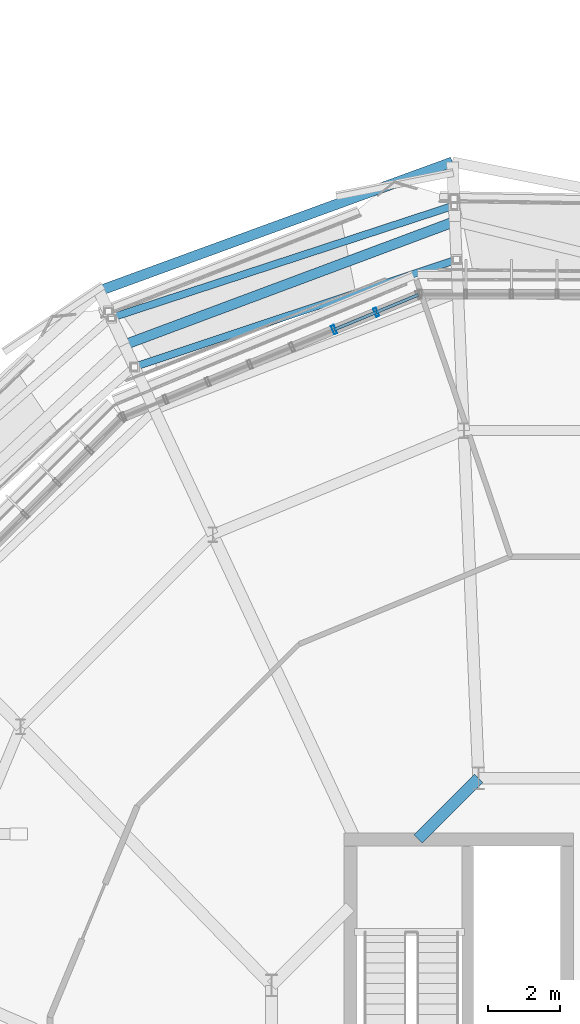
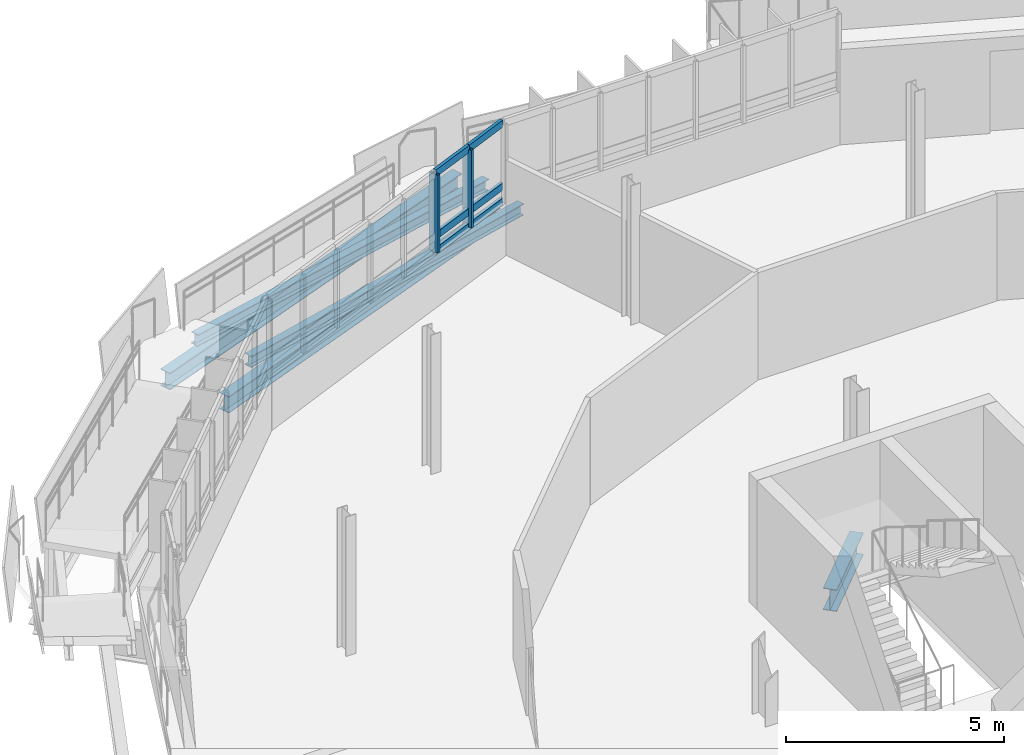
# One storey, part 26 of 61: 8 members, 5 beams, 1 element without a shape of its own.
"""IFC4 building model written with IfcOpenShell, lengths in metres."""

import ifcopenshell
import ifcopenshell.guid

model = None  # the IFC model being written
_history = None  # IfcOwnerHistory: only IFC2X3 demands one
_inside = {}  # id of a spatial element -> (the spatial element, [elements in it])
_under = {}  # id of a project, library or spatial element -> (it, [spatial elements below it])
_declared = {}  # id of a project -> (the project, [libraries it declares])
_typed = {}  # id of a type object -> (the type object, [elements of that type])
_made_of = {}  # id of a material, layer set ... -> (it, [elements and type objects made of it])


def new_model(schema):
    """Start an empty IFC model of exactly this schema.

    Asked for "IFC4X3", IfcOpenShell would pick the latest addendum, in which some entities
    have other attributes; the version numbers below select the first issue.
    IFC2X3 requires an IfcOwnerHistory on every rooted entity: one is made here for all.
    """
    global model, _history
    if schema == "IFC4X3":
        model = ifcopenshell.file(schema_version=(4, 3, 0, 0))
    else:
        model = ifcopenshell.file(schema=schema)
    _inside.clear()
    _under.clear()
    _declared.clear()
    _typed.clear()
    _made_of.clear()
    _history = None
    if model.schema == "IFC2X3":
        org = make("IfcOrganization", Name="unknown")
        user = make(
            "IfcPersonAndOrganization",
            ThePerson=make("IfcPerson", FamilyName="unknown"),
            TheOrganization=org,
        )
        app = make(
            "IfcApplication",
            ApplicationDeveloper=org,
            Version="unknown",
            ApplicationFullName="unknown",
            ApplicationIdentifier="unknown",
        )
        _history = make(
            "IfcOwnerHistory",
            OwningUser=user,
            OwningApplication=app,
            ChangeAction="ADDED",
            CreationDate=0,
        )
    return model


def make(cls, **values):
    """One entity of the class cls with the attributes given. An attribute that is None is left unset."""
    return model.create_entity(
        cls, **{name: value for name, value in values.items() if value is not None}
    )


def rooted(cls, **values):
    """An entity with a GlobalId (a new one), such as an element, a storey or a relation."""
    return make(cls, GlobalId=ifcopenshell.guid.new(), OwnerHistory=_history, **values)


def si_unit(unit_type, name, prefix=None):
    """IfcSIUnit, for example si_unit("LENGTHUNIT", "METRE", prefix="MILLI")."""
    return make("IfcSIUnit", UnitType=unit_type, Prefix=prefix, Name=name)


def derived_unit(unit_type, elements):
    """IfcDerivedUnit: a product of units, each with its exponent."""
    return make(
        "IfcDerivedUnit",
        Elements=[
            make("IfcDerivedUnitElement", Unit=unit, Exponent=power)
            for unit, power in elements
        ],
        UnitType=unit_type,
    )


def assignment(units):
    """IfcUnitAssignment: the units of a project."""
    return None if units is None else make("IfcUnitAssignment", Units=units)


def point(xyz):
    """IfcCartesianPoint."""
    return None if xyz is None else make("IfcCartesianPoint", Coordinates=xyz)


def direction(xyz):
    """IfcDirection."""
    return None if xyz is None else make("IfcDirection", DirectionRatios=xyz)


def frame(location, z_axis=None, x_axis=None):
    """IfcAxis2Placement3D, a coordinate frame: its origin and axes. An axis left out is left unset."""
    return make(
        "IfcAxis2Placement3D",
        Location=point(location),
        Axis=direction(z_axis),
        RefDirection=direction(x_axis),
    )


def frame_2d(location, x_axis=None):
    """IfcAxis2Placement2D, a coordinate frame in the plane: its origin and x axis."""
    return make(
        "IfcAxis2Placement2D", Location=point(location), RefDirection=direction(x_axis)
    )


def origin():
    """The frame at (0, 0, 0) with its axes left unset."""
    return frame((0.0, 0.0, 0.0))


def origin_2d():
    """The frame at (0, 0) in the plane with its x axis left unset."""
    return frame_2d((0.0, 0.0))


def place(relative_to, where):
    """IfcLocalPlacement: puts the frame where relative to a parent placement (None: the world)."""
    return make(
        "IfcLocalPlacement", PlacementRelTo=relative_to, RelativePlacement=where
    )


def context(
    kind, dimensions, precision=None, world=None, true_north=None, identifier=None
):
    """IfcGeometricRepresentationContext, for example the 3D "Model" context."""
    return make(
        "IfcGeometricRepresentationContext",
        ContextIdentifier=identifier,
        ContextType=kind,
        CoordinateSpaceDimension=dimensions,
        Precision=precision,
        WorldCoordinateSystem=world,
        TrueNorth=true_north,
    )


def subcontext(parent, identifier, kind, view, scale=None):
    """IfcGeometricRepresentationSubContext, for example "Body" below "Model"."""
    return make(
        "IfcGeometricRepresentationSubContext",
        ContextIdentifier=identifier,
        ContextType=kind,
        ParentContext=parent,
        TargetScale=scale,
        TargetView=view,
    )


def project(units=None, contexts=None):
    """IfcProject with its units and contexts."""
    return rooted(
        "IfcProject",
        Name="project",
        RepresentationContexts=contexts,
        UnitsInContext=assignment(units),
    )


def spatial(cls, under=None, at=None, **own):
    """A site, building, storey or space (cls), placed at a placement, below another one or the project."""
    s = rooted(cls, ObjectPlacement=at, **own)
    if under is not None:
        _under.setdefault(under.id(), (under, []))[1].append(s)
    return s


def profile(cls, at=None, kind="AREA", **sizes):
    """A parametric profile (cls). Its sizes go by their IFC names, for example OverallWidth=200.0."""
    return make(cls, ProfileType=kind, Position=at, **sizes)


def hollow_rectangle(**sizes):
    """IfcRectangleHollowProfileDef."""
    return profile("IfcRectangleHollowProfileDef", **sizes)


def i_section(**sizes):
    """IfcIShapeProfileDef."""
    return profile("IfcIShapeProfileDef", **sizes)


def extrude(swept, where, along, depth):
    """IfcExtrudedAreaSolid: the profile swept, set in the frame where, extruded along a direction by depth."""
    return make(
        "IfcExtrudedAreaSolid",
        SweptArea=swept,
        Position=where,
        ExtrudedDirection=direction(along),
        Depth=depth,
    )


def shape(context_of_items, identifier, shape_type, items):
    """IfcShapeRepresentation: the items that make up one representation, for example the "Body"."""
    return make(
        "IfcShapeRepresentation",
        ContextOfItems=context_of_items,
        RepresentationIdentifier=identifier,
        RepresentationType=shape_type,
        Items=items,
    )


def material(Name=None, Category=None):
    """IfcMaterial."""
    return make("IfcMaterial", Name=Name, Category=Category)


def layer(
    of_material, thickness, ventilated=None, Name=None, Category=None, Priority=None
):
    """IfcMaterialLayer: one layer of a wall or slab, of a material (None: an air gap)."""
    return make(
        "IfcMaterialLayer",
        Material=of_material,
        LayerThickness=thickness,
        IsVentilated=ventilated,
        Name=Name,
        Category=Category,
        Priority=Priority,
    )


def layer_set(layers, Name=None):
    """IfcMaterialLayerSet."""
    return make("IfcMaterialLayerSet", MaterialLayers=layers, LayerSetName=Name)


def material_profile(
    of_material, cross_section, Name=None, Category=None, Priority=None
):
    """IfcMaterialProfile: a cross section and its material."""
    return make(
        "IfcMaterialProfile",
        Name=Name,
        Material=of_material,
        Profile=cross_section,
        Priority=Priority,
        Category=Category,
    )


def profile_set(profiles, Name=None, composite=None):
    """IfcMaterialProfileSet."""
    return make(
        "IfcMaterialProfileSet",
        Name=Name,
        MaterialProfiles=profiles,
        CompositeProfile=composite,
    )


def made_of(thing, what):
    """Note that an element or type object is made of a material, layer set ...; save() writes the relation."""
    if what is not None:
        _made_of.setdefault(what.id(), (what, []))[1].append(thing)
    return thing


def type_object(cls, material=None, **own):
    """A type object (cls), such as IfcWallType, which elements share."""
    return made_of(rooted(cls, **own), material)


def element(
    cls,
    number,
    at=None,
    inside=None,
    cuts=None,
    type_object=None,
    material=None,
    context=None,
    identifier="Body",
    shape_type=None,
    held_by="IfcProductDefinitionShape",
    body=None,
    shapes=None,
    **own,
):
    """One element of the class cls, such as IfcWall. Its Tag is "e" and its number.

    at: its placement. inside: the storey or other place that contains it. cuts: it is an
    opening in that element (IfcRelVoidsElement). A single representation is given by context,
    identifier, shape_type and body (its items); several are given by shapes. held_by: the class
    of the entity that holds the representations. save() writes the other relations.
    """
    e = rooted(cls, Tag="e%d" % number, ObjectPlacement=at, **own)
    if body is not None:
        shapes = [shape(context, identifier, shape_type, body)]
    if shapes is not None:
        e.Representation = make(held_by, Representations=shapes)
    if inside is not None:
        _inside.setdefault(inside.id(), (inside, []))[1].append(e)
    if cuts is not None:
        rooted(
            "IfcRelVoidsElement", RelatingBuildingElement=cuts, RelatedOpeningElement=e
        )
    if type_object is not None:
        _typed.setdefault(type_object.id(), (type_object, []))[1].append(e)
    return made_of(e, material)


def aggregate(whole, parts):
    """IfcRelAggregates: a whole, such as a stair, and the parts it consists of."""
    return rooted("IfcRelAggregates", RelatingObject=whole, RelatedObjects=parts)


def save(model, path):
    """Write the relations noted so far, then the file.

    IfcRelAggregates (storeys below a building ...), IfcRelContainedInSpatialStructure (elements
    in a storey), IfcRelDefinesByType, IfcRelAssociatesMaterial and IfcRelDeclares: one each for
    every whole, place, type object, material and project.
    """
    for whole, parts in _under.values():
        aggregate(whole, parts)
    for where, things in _inside.values():
        rooted(
            "IfcRelContainedInSpatialStructure",
            RelatedElements=things,
            RelatingStructure=where,
        )
    for kind, things in _typed.values():
        rooted("IfcRelDefinesByType", RelatedObjects=things, RelatingType=kind)
    for what, things in _made_of.values():
        rooted("IfcRelAssociatesMaterial", RelatedObjects=things, RelatingMaterial=what)
    for by, libraries in _declared.values():
        rooted("IfcRelDeclares", RelatingContext=by, RelatedDefinitions=libraries)
    model.write(path)


model = new_model("IFC4")

# Units and contexts
model_context = context("Model", 3, precision=1e-05, world=origin(), true_north=direction((0.0, 1.0)))
body_context = subcontext(model_context, "Body", "Model", "MODEL_VIEW")
ifc_project = project(units=[si_unit("LENGTHUNIT", "METRE"), si_unit("AREAUNIT", "SQUARE_METRE"), si_unit("VOLUMEUNIT", "CUBIC_METRE"), si_unit("PLANEANGLEUNIT", "RADIAN"), si_unit("MASSUNIT", "GRAM", prefix="KILO"), derived_unit("THERMALTRANSMITTANCEUNIT", [(si_unit("MASSUNIT", "GRAM", prefix="KILO"), 1), (si_unit("TIMEUNIT", "SECOND"), -3), (si_unit("THERMODYNAMICTEMPERATUREUNIT", "KELVIN"), -1)])], contexts=[model_context])

# Site, building, storey
site_placement = place(None, origin())
site = spatial("IfcSite", under=ifc_project, at=site_placement, CompositionType="ELEMENT")
building_placement = place(site_placement, origin())
building = spatial("IfcBuilding", under=site, at=building_placement, Name="Makaiwela Harbour Ferry Terminal", CompositionType="ELEMENT")
storey_placement = place(building_placement, frame((0.0, 0.0, 13.800048828125)))
storey = spatial("IfcBuildingStorey", under=building, at=storey_placement, Name="L03", CompositionType="ELEMENT", Elevation=13.800048828125)

# Curtain wall, members
ifc_material_1 = material(Name="Marine anodised aluminium 6063-T6", Category="aluminium")
ifc_layer = layer(ifc_material_1, 0.199951171875)
ifc_layer_set = layer_set([ifc_layer], Name="Marine anodised aluminium 6063-T6")
curtain_wall_type = type_object("IfcCurtainWallType", Name="ENV-CW-05", PredefinedType="USERDEFINED", material=ifc_layer_set)
curtain_wall_placement = place(storey_placement, origin())
curtain_wall = element("IfcCurtainWall", 1, at=curtain_wall_placement, inside=storey, type_object=curtain_wall_type, Name="Unitised Curtain Wall CWA-032", ObjectType="UNITIZED CURTAIN WALL", PredefinedType="USERDEFINED")
ifc_material_profile_1 = material_profile(ifc_material_1, hollow_rectangle(XDim=0.0849609375, YDim=0.25, WallThickness=0.0048828125, at=origin_2d()), Name="CWM-250X85")
ifc_profile_set_1 = profile_set([ifc_material_profile_1], Name="Marine anodised aluminium 6063-T6")
member_type_1 = type_object("IfcMemberType", Name="CW-MUL-250", PredefinedType="MULLION", material=ifc_profile_set_1)
member_1_placement = place(storey_placement, frame((30.907958984375, 90.307373046875, 1.47998046875), z_axis=(0.0, 0.0, 1.0), x_axis=(0.923879532511, 0.382683432365, 0.0)))
member_1 = element("IfcMember", 2, at=member_1_placement, type_object=member_type_1, Name="Curtain Wall Mullion CWA-032-2", PredefinedType="MULLION", context=body_context, shape_type="SweptSolid", body=[
    extrude(hollow_rectangle(XDim=0.0849609375, YDim=0.25, WallThickness=0.0048828125, at=origin_2d()), origin(), (0.0, 0.0, 1.0), 2.179931640625),
])
member_2_placement = place(storey_placement, frame((29.74169921875, 89.82421875, 1.47998046875), z_axis=(0.0, 0.0, 1.0), x_axis=(0.923879532511, 0.382683432365, 0.0)))
member_2 = element("IfcMember", 3, at=member_2_placement, type_object=member_type_1, Name="Curtain Wall Mullion CWA-032-3", PredefinedType="MULLION", context=body_context, shape_type="SweptSolid", body=[
    extrude(hollow_rectangle(XDim=0.0849609375, YDim=0.25, WallThickness=0.0048828125, at=origin_2d()), origin(), (0.0, 0.0, 1.0), 2.179931640625),
])
ifc_material_profile_2 = material_profile(ifc_material_1, hollow_rectangle(XDim=0.0849609375, YDim=0.199951171875, WallThickness=0.0048828125, at=origin_2d()), Name="CWT-200X85")
ifc_profile_set_2 = profile_set([ifc_material_profile_2], Name="Marine anodised aluminium 6063-T6")
member_type_2 = type_object("IfcMemberType", Name="CW-TRN-200", PredefinedType="USERDEFINED", material=ifc_profile_set_2)
member_3_placement = place(storey_placement, frame((32.07421875, 90.790283203125, 1.47998046875), z_axis=(-0.923927268309, -0.382568167619, 0.0), x_axis=(0.382568167619, -0.923927268309, 0.0)))
member_3 = element("IfcMember", 4, at=member_3_placement, type_object=member_type_2, Name="Curtain Wall Transom CWA-032-1-1", ObjectType="TRANSOM", PredefinedType="USERDEFINED", context=body_context, shape_type="SweptSolid", body=[
    extrude(hollow_rectangle(XDim=0.0849609375, YDim=0.199951171875, WallThickness=0.0048828125, at=origin_2d()), origin(), (0.0, 0.0, 1.0), 1.26220703125),
])
member_4_placement = place(storey_placement, frame((32.07421875, 90.790283203125, 1.89990234375), z_axis=(-0.923927268309, -0.382568167619, 0.0), x_axis=(0.382568167619, -0.923927268309, 0.0)))
member_4 = element("IfcMember", 5, at=member_4_placement, type_object=member_type_2, Name="Curtain Wall Transom CWA-032-1-2", ObjectType="TRANSOM", PredefinedType="USERDEFINED", context=body_context, shape_type="SweptSolid", body=[
    extrude(hollow_rectangle(XDim=0.0849609375, YDim=0.199951171875, WallThickness=0.0048828125, at=origin_2d()), origin(), (0.0, 0.0, 1.0), 1.26220703125),
])
member_5_placement = place(storey_placement, frame((32.07421875, 90.790283203125, 3.659912109375), z_axis=(-0.923927268309, -0.382568167619, 0.0), x_axis=(0.382568167619, -0.923927268309, 0.0)))
member_5 = element("IfcMember", 6, at=member_5_placement, type_object=member_type_2, Name="Curtain Wall Transom CWA-032-1-3", ObjectType="TRANSOM", PredefinedType="USERDEFINED", context=body_context, shape_type="SweptSolid", body=[
    extrude(hollow_rectangle(XDim=0.0849609375, YDim=0.199951171875, WallThickness=0.0048828125, at=origin_2d()), origin(), (0.0, 0.0, 1.0), 1.26220703125),
])
member_6_placement = place(storey_placement, frame((30.907958984375, 90.307373046875, 1.47998046875), z_axis=(-0.923858894352, -0.38273325349, 0.0), x_axis=(0.38273325349, -0.923858894352, 0.0)))
member_6 = element("IfcMember", 7, at=member_6_placement, type_object=member_type_2, Name="Curtain Wall Transom CWA-032-2-1", ObjectType="TRANSOM", PredefinedType="USERDEFINED", context=body_context, shape_type="SweptSolid", body=[
    extrude(hollow_rectangle(XDim=0.0849609375, YDim=0.199951171875, WallThickness=0.0048828125, at=origin_2d()), origin(), (0.0, 0.0, 1.0), 1.262451171875),
])
member_7_placement = place(storey_placement, frame((30.907958984375, 90.307373046875, 1.89990234375), z_axis=(-0.923858894352, -0.38273325349, 0.0), x_axis=(0.38273325349, -0.923858894352, 0.0)))
member_7 = element("IfcMember", 8, at=member_7_placement, type_object=member_type_2, Name="Curtain Wall Transom CWA-032-2-2", ObjectType="TRANSOM", PredefinedType="USERDEFINED", context=body_context, shape_type="SweptSolid", body=[
    extrude(hollow_rectangle(XDim=0.0849609375, YDim=0.199951171875, WallThickness=0.0048828125, at=origin_2d()), origin(), (0.0, 0.0, 1.0), 1.262451171875),
])
member_8_placement = place(storey_placement, frame((30.907958984375, 90.307373046875, 3.659912109375), z_axis=(-0.923858894352, -0.38273325349, 0.0), x_axis=(0.38273325349, -0.923858894352, 0.0)))
member_8 = element("IfcMember", 9, at=member_8_placement, type_object=member_type_2, Name="Curtain Wall Transom CWA-032-2-3", ObjectType="TRANSOM", PredefinedType="USERDEFINED", context=body_context, shape_type="SweptSolid", body=[
    extrude(hollow_rectangle(XDim=0.0849609375, YDim=0.199951171875, WallThickness=0.0048828125, at=origin_2d()), origin(), (0.0, 0.0, 1.0), 1.262451171875),
])
aggregate(curtain_wall, [member_1, member_2, member_3, member_4, member_5, member_6, member_7, member_8])

# Beams
ifc_material_2 = material(Name="Steel ASTM A992 Grade 50", Category="steel")
ifc_material_profile_3 = material_profile(ifc_material_2, i_section(OverallWidth=0.280029296875, OverallDepth=0.462890625, WebThickness=0.0107421875, FlangeThickness=0.017333984375, at=origin_2d()), Name="W18X76")
ifc_profile_set_3 = profile_set([ifc_material_profile_3], Name="Steel ASTM A992 Grade 50")
beam_type_1 = type_object("IfcBeamType", Name="STR-BM-W18X76", PredefinedType="BEAM", material=ifc_profile_set_3)
beam_1_placement = place(storey_placement, frame((33.089111328125, 92.823974609375, -0.486572265625), z_axis=(-0.936858190417, -0.349709495222, 0.0), x_axis=(0.349709495222, -0.936858190417, 0.0)))
element("IfcBeam", 10, at=beam_1_placement, inside=storey, type_object=beam_type_1, Name="Drum stage2 tie girder 337", PredefinedType="BEAM", context=body_context, shape_type="SweptSolid", body=[
    extrude(i_section(OverallWidth=0.280029296875, OverallDepth=0.462890625, WebThickness=0.0107421875, FlangeThickness=0.017333984375, at=origin_2d()), origin(), (0.0, 0.0, 1.0), 9.78564453125),
])
ifc_material_profile_4 = material_profile(ifc_material_2, i_section(OverallWidth=0.324951171875, OverallDepth=0.615966796875, WebThickness=0.013916015625, FlangeThickness=0.021484375, at=origin_2d()), Name="W24X117")
ifc_profile_set_4 = profile_set([ifc_material_profile_4], Name="Steel ASTM A992 Grade 50")
beam_type_2 = type_object("IfcBeamType", Name="STR-GRD-W24X117", PredefinedType="USERDEFINED", material=ifc_profile_set_4)
beam_2_placement = place(storey_placement, frame((33.74365234375, 77.39306640625, -0.56298828125), z_axis=(-0.707106781187, -0.707106781187, 0.0), x_axis=(0.707106781187, -0.707106781187, 0.0)))
element("IfcBeam", 11, at=beam_2_placement, inside=storey, type_object=beam_type_2, Name="Drum inner ring girder 247", ObjectType="GIRDER", PredefinedType="USERDEFINED", context=body_context, shape_type="SweptSolid", body=[
    extrude(i_section(OverallWidth=0.324951171875, OverallDepth=0.615966796875, WebThickness=0.013916015625, FlangeThickness=0.021484375, at=origin_2d()), origin(), (0.0, 0.0, 1.0), 2.3662109375),
])
ifc_material_profile_5 = material_profile(ifc_material_2, i_section(OverallWidth=0.205078125, OverallDepth=0.31005859375, WebThickness=0.009521484375, FlangeThickness=0.016357421875, at=origin_2d()), Name="W12X50")
ifc_profile_set_5 = profile_set([ifc_material_profile_5], Name="Steel ASTM A992 Grade 50")
beam_type_3 = type_object("IfcBeamType", Name="STR-LNT-W12X50", PredefinedType="LINTEL", material=ifc_profile_set_5)
beam_3_placement = place(storey_placement, frame((33.1337890625, 91.764892578125, 0.320068359375), z_axis=(-0.946625046942, -0.314885939571, 0.068904757184), x_axis=(0.315636130037, -0.948880305104, 0.0)))
element("IfcBeam", 12, at=beam_3_placement, inside=storey, type_object=beam_type_3, Name="Coiled Ramp Stringer L03-F2-IN", PredefinedType="LINTEL", context=body_context, shape_type="SweptSolid", body=[
    extrude(i_section(OverallWidth=0.205078125, OverallDepth=0.31005859375, WebThickness=0.009521484375, FlangeThickness=0.016357421875, at=origin_2d()), origin(), (0.0, 0.0, 1.0), 9.431884765625),
])
beam_4_placement = place(storey_placement, frame((33.0703125, 93.265625, 0.120849609375), z_axis=(-0.946992681324, -0.309986375296, 0.084340433062), x_axis=(0.311094806657, -0.95037888301, 0.0)))
element("IfcBeam", 13, at=beam_4_placement, inside=storey, type_object=beam_type_3, Name="Coiled Ramp Stringer L03-F2-OUT", PredefinedType="LINTEL", context=body_context, shape_type="SweptSolid", body=[
    extrude(i_section(OverallWidth=0.205078125, OverallDepth=0.31005859375, WebThickness=0.009521484375, FlangeThickness=0.016357421875, at=origin_2d()), origin(), (0.0, 0.0, 1.0), 10.032958984375),
])
ifc_material_profile_6 = material_profile(ifc_material_2, i_section(OverallWidth=0.283935546875, OverallDepth=0.47607421875, WebThickness=0.014892578125, FlangeThickness=0.02392578125, at=origin_2d()), Name="W18X106")
ifc_profile_set_6 = profile_set([ifc_material_profile_6], Name="Steel ASTM A992 Grade 50")
beam_type_4 = type_object("IfcBeamType", Name="STR-SPN-W18X106", PredefinedType="SPANDREL", material=ifc_profile_set_6)
beam_5_placement = place(storey_placement, frame((33.01904296875, 94.472412109375, -0.4931640625), z_axis=(-0.939370966018, -0.342902592879, 0.0), x_axis=(0.342902592879, -0.939370966018, 0.0)))
element("IfcBeam", 14, at=beam_5_placement, inside=storey, type_object=beam_type_4, Name="Drum perimeter spandrel 359", PredefinedType="SPANDREL", context=body_context, shape_type="SweptSolid", body=[
    extrude(i_section(OverallWidth=0.283935546875, OverallDepth=0.47607421875, WebThickness=0.014892578125, FlangeThickness=0.02392578125, at=origin_2d()), origin(), (0.0, 0.0, 1.0), 10.428466796875),
])

save(model, "model.ifc")
